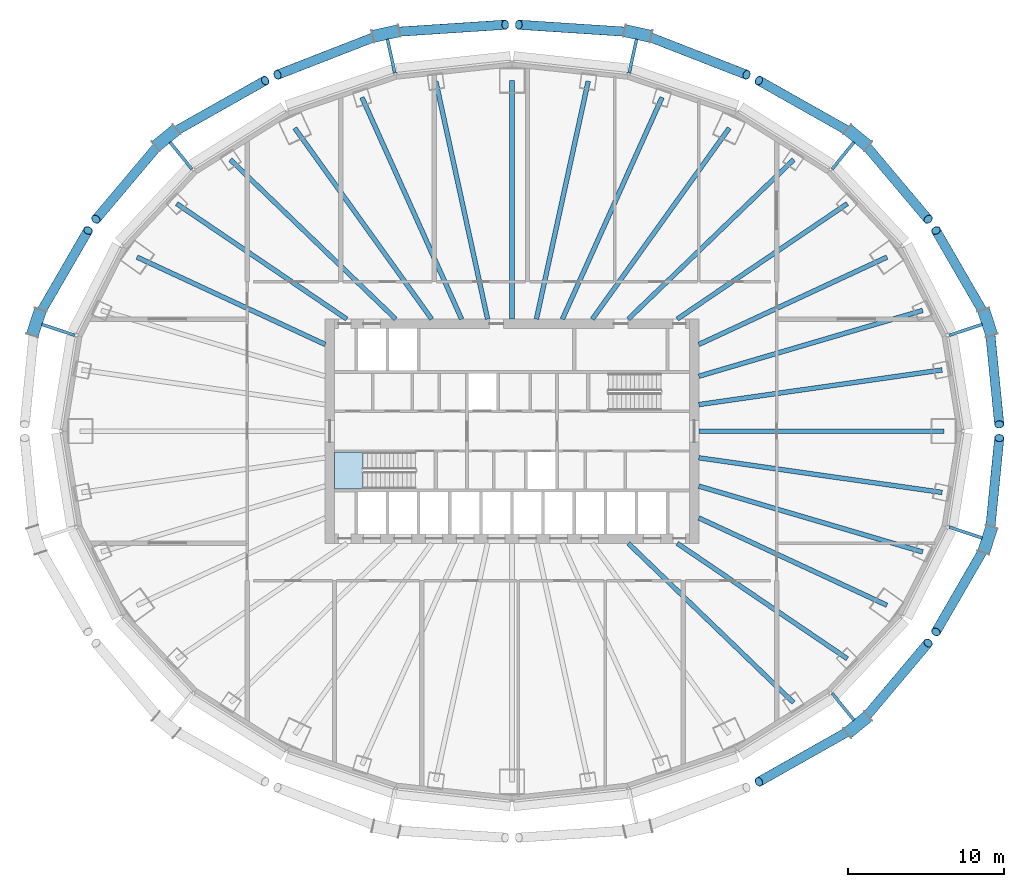
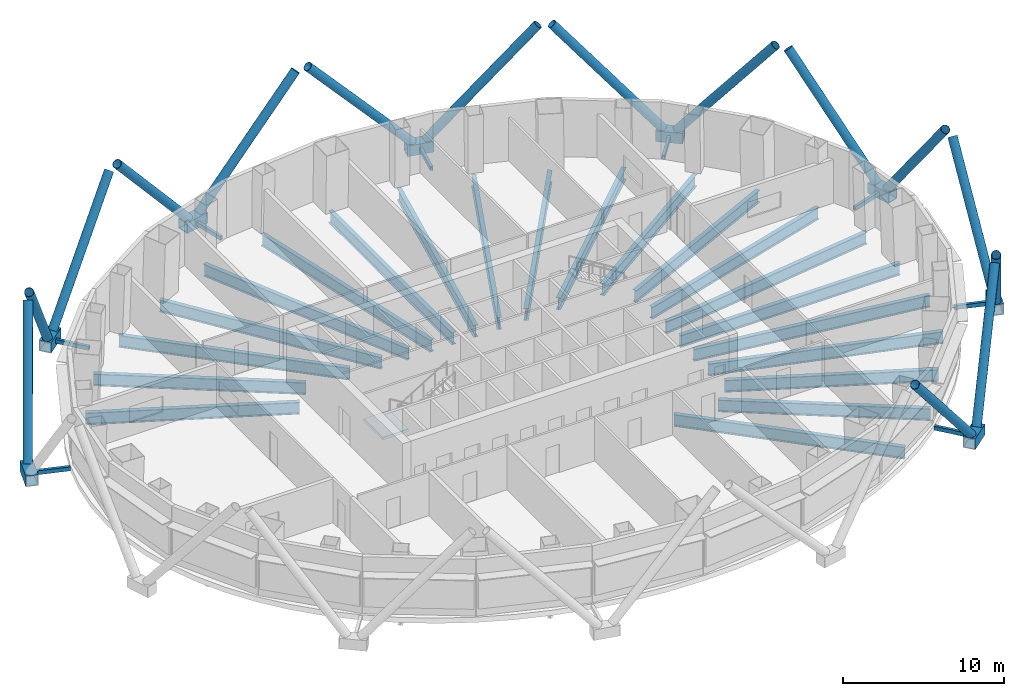
# One storey, part 2 of 14: 31 members, 21 beams, 1 slab, 1 element without a shape of its own.
"""IFC4 building model written with IfcOpenShell, lengths in metres."""

from ifc_helpers import new_model, si_unit, direction, frame, origin, origin_2d, place, context, subcontext, project, spatial, polyline, hollow_rectangle, hollow_circle, i_section, outline, extrude, material, layer, layer_set, material_profile, profile_set, type_object, element, aggregate, save


model = new_model("IFC4")

# Units and contexts
model_context = context("Model", 3, precision=1e-05, world=origin(), true_north=direction((0.0, 1.0)))
body_context = subcontext(model_context, "Body", "Model", "MODEL_VIEW")
ifc_project = project(units=[si_unit("LENGTHUNIT", "METRE"), si_unit("AREAUNIT", "SQUARE_METRE"), si_unit("VOLUMEUNIT", "CUBIC_METRE"), si_unit("PLANEANGLEUNIT", "RADIAN"), si_unit("MASSUNIT", "GRAM", prefix="KILO")], contexts=[model_context])

# Site, building, storey
site_placement = place(None, origin())
site = spatial("IfcSite", under=ifc_project, at=site_placement, CompositionType="ELEMENT")
building_placement = place(site_placement, origin())
building = spatial("IfcBuilding", under=site, at=building_placement, Name="Siaravel Broadcast Tower", CompositionType="ELEMENT")
storey_placement = place(building_placement, frame((0.0, 0.0, 20.0)))
storey = spatial("IfcBuildingStorey", under=building, at=storey_placement, Name="L03", CompositionType="ELEMENT", Elevation=20.0)

# Beams
ifc_material_1 = material(Name="Steel S355", Category="steel")
ifc_material_profile_1 = material_profile(ifc_material_1, i_section(OverallWidth=0.30322265625, OverallDepth=0.903076171875, WebThickness=0.01513671875, FlangeThickness=0.020263671875, FilletRadius=0.01904296875, at=origin_2d()))
ifc_profile_set_1 = profile_set([ifc_material_profile_1], Name="Steel S355")
beam_type = type_object("IfcBeamType", Name="BM-UB 914x305x201", PredefinedType="BEAM", material=ifc_profile_set_1)
beam_1_placement = place(storey_placement, frame((27.75, 0.0, -0.8515625), z_axis=(-1.0, 0.0, 0.0), x_axis=(0.0, -1.0, 0.0)))
element("IfcBeam", 1, at=beam_1_placement, inside=storey, type_object=beam_type, Name="Radial beam RB01", PredefinedType="BEAM", context=body_context, shape_type="SweptSolid", body=[
    extrude(i_section(OverallWidth=0.30322265625, OverallDepth=0.903076171875, WebThickness=0.01513671875, FlangeThickness=0.020263671875, FilletRadius=0.01904296875, at=origin_2d()), origin(), (0.0, 0.0, 1.0), 15.75),
])
beam_2_placement = place(storey_placement, frame((27.629638671875, 3.935302734375, -0.8515625), z_axis=(-0.990006939, -0.141018655, 0.0), x_axis=(0.141018655, -0.990006939, 0.0)))
element("IfcBeam", 2, at=beam_2_placement, inside=storey, type_object=beam_type, Name="Radial beam RB02", PredefinedType="BEAM", context=body_context, shape_type="SweptSolid", body=[
    extrude(i_section(OverallWidth=0.30322265625, OverallDepth=0.903076171875, WebThickness=0.01513671875, FlangeThickness=0.020263671875, FilletRadius=0.01904296875, at=origin_2d()), origin(), (0.0, 0.0, 1.0), 15.787353515625),
])
beam_3_placement = place(storey_placement, frame((26.379150390625, 7.757568359375, -0.8515625), z_axis=(-0.959377173, -0.282126639, 0.0), x_axis=(0.282126639, -0.959377173, 0.0)))
element("IfcBeam", 3, at=beam_3_placement, inside=storey, type_object=beam_type, Name="Radial beam RB03", PredefinedType="BEAM", context=body_context, shape_type="SweptSolid", body=[
    extrude(i_section(OverallWidth=0.30322265625, OverallDepth=0.903076171875, WebThickness=0.01513671875, FlangeThickness=0.020263671875, FilletRadius=0.01904296875, at=origin_2d()), origin(), (0.0, 0.0, 1.0), 14.988037109375),
])
beam_4_placement = place(storey_placement, frame((24.085693359375, 11.181884765625, -0.8515625), z_axis=(-0.907019715, -0.421088158, 0.0), x_axis=(0.421088158, -0.907019715, 0.0)))
element("IfcBeam", 4, at=beam_4_placement, inside=storey, type_object=beam_type, Name="Radial beam RB04", PredefinedType="BEAM", context=body_context, shape_type="SweptSolid", body=[
    extrude(i_section(OverallWidth=0.30322265625, OverallDepth=0.903076171875, WebThickness=0.01513671875, FlangeThickness=0.020263671875, FilletRadius=0.01904296875, at=origin_2d()), origin(), (0.0, 0.0, 1.0), 13.32470703125),
])
beam_5_placement = place(storey_placement, frame((21.54150390625, 14.617431640625, -0.8515625), z_axis=(-0.827473014, -0.561505486, 0.0), x_axis=(0.561505486, -0.827473014, 0.0)))
element("IfcBeam", 5, at=beam_5_placement, inside=storey, type_object=beam_type, Name="Radial beam RB05", PredefinedType="BEAM", context=body_context, shape_type="SweptSolid", body=[
    extrude(i_section(OverallWidth=0.30322265625, OverallDepth=0.903076171875, WebThickness=0.01513671875, FlangeThickness=0.020263671875, FilletRadius=0.01904296875, at=origin_2d()), origin(), (0.0, 0.0, 1.0), 13.2099609375),
])
beam_6_placement = place(storey_placement, frame((18.09130859375, 17.443359375, -0.8515625), z_axis=(-0.719884443, -0.694093933, 0.0), x_axis=(0.694093933, -0.719884443, 0.0)))
element("IfcBeam", 6, at=beam_6_placement, inside=storey, type_object=beam_type, Name="Radial beam RB06", PredefinedType="BEAM", context=body_context, shape_type="SweptSolid", body=[
    extrude(i_section(OverallWidth=0.30322265625, OverallDepth=0.903076171875, WebThickness=0.01513671875, FlangeThickness=0.020263671875, FilletRadius=0.01904296875, at=origin_2d()), origin(), (0.0, 0.0, 1.0), 14.758056640625),
])
beam_7_placement = place(storey_placement, frame((13.954833984375, 19.470947265625, -0.8515625), z_axis=(-0.582539241, -0.812802579, 0.0), x_axis=(0.812802579, -0.582539241, 0.0)))
element("IfcBeam", 7, at=beam_7_placement, inside=storey, type_object=beam_type, Name="Radial beam RB07", PredefinedType="BEAM", context=body_context, shape_type="SweptSolid", body=[
    extrude(i_section(OverallWidth=0.30322265625, OverallDepth=0.903076171875, WebThickness=0.01513671875, FlangeThickness=0.020263671875, FilletRadius=0.01904296875, at=origin_2d()), origin(), (0.0, 0.0, 1.0), 15.09716796875),
])
beam_8_placement = place(storey_placement, frame((9.638671875, 21.439697265625, -0.8515625), z_axis=(-0.410043452, -0.912065989, 0.0), x_axis=(0.912065989, -0.410043452, 0.0)))
element("IfcBeam", 8, at=beam_8_placement, inside=storey, type_object=beam_type, Name="Radial beam RB08", PredefinedType="BEAM", context=body_context, shape_type="SweptSolid", body=[
    extrude(i_section(OverallWidth=0.30322265625, OverallDepth=0.903076171875, WebThickness=0.01513671875, FlangeThickness=0.020263671875, FilletRadius=0.01904296875, at=origin_2d()), origin(), (0.0, 0.0, 1.0), 15.612548828125),
])
beam_9_placement = place(storey_placement, frame((4.8955078125, 22.480712890625, -0.8515625), z_axis=(-0.212779613, -0.977100218, 0.0), x_axis=(0.977100218, -0.212779613, 0.0)))
element("IfcBeam", 9, at=beam_9_placement, inside=storey, type_object=beam_type, Name="Radial beam RB09", PredefinedType="BEAM", context=body_context, shape_type="SweptSolid", body=[
    extrude(i_section(OverallWidth=0.30322265625, OverallDepth=0.903076171875, WebThickness=0.01513671875, FlangeThickness=0.020263671875, FilletRadius=0.01904296875, at=origin_2d()), origin(), (0.0, 0.0, 1.0), 15.638916015625),
])
beam_10_placement = place(storey_placement, frame((0.0, 22.531494140625, -0.8515625), z_axis=(0.0, -1.0, 0.0), x_axis=(1.0, 0.0, 0.0)))
element("IfcBeam", 10, at=beam_10_placement, inside=storey, type_object=beam_type, Name="Radial beam RB10", PredefinedType="BEAM", context=body_context, shape_type="SweptSolid", body=[
    extrude(i_section(OverallWidth=0.30322265625, OverallDepth=0.903076171875, WebThickness=0.01513671875, FlangeThickness=0.020263671875, FilletRadius=0.01904296875, at=origin_2d()), origin(), (0.0, 0.0, 1.0), 15.33154296875),
])
beam_11_placement = place(storey_placement, frame((-4.8955078125, 22.480712890625, -0.8515625), z_axis=(0.212779613, -0.977100218, 0.0), x_axis=(0.977100218, 0.212779613, 0.0)))
element("IfcBeam", 11, at=beam_11_placement, inside=storey, type_object=beam_type, Name="Radial beam RB11", PredefinedType="BEAM", context=body_context, shape_type="SweptSolid", body=[
    extrude(i_section(OverallWidth=0.30322265625, OverallDepth=0.903076171875, WebThickness=0.01513671875, FlangeThickness=0.020263671875, FilletRadius=0.01904296875, at=origin_2d()), origin(), (0.0, 0.0, 1.0), 15.638916015625),
])
beam_12_placement = place(storey_placement, frame((-9.638671875, 21.439697265625, -0.8515625), z_axis=(0.410043452, -0.912065989, 0.0), x_axis=(0.912065989, 0.410043452, 0.0)))
element("IfcBeam", 12, at=beam_12_placement, inside=storey, type_object=beam_type, Name="Radial beam RB12", PredefinedType="BEAM", context=body_context, shape_type="SweptSolid", body=[
    extrude(i_section(OverallWidth=0.30322265625, OverallDepth=0.903076171875, WebThickness=0.01513671875, FlangeThickness=0.020263671875, FilletRadius=0.01904296875, at=origin_2d()), origin(), (0.0, 0.0, 1.0), 15.612548828125),
])
beam_13_placement = place(storey_placement, frame((-13.954833984375, 19.470947265625, -0.8515625), z_axis=(0.582539241, -0.812802579, 0.0), x_axis=(0.812802579, 0.582539241, 0.0)))
element("IfcBeam", 13, at=beam_13_placement, inside=storey, type_object=beam_type, Name="Radial beam RB13", PredefinedType="BEAM", context=body_context, shape_type="SweptSolid", body=[
    extrude(i_section(OverallWidth=0.30322265625, OverallDepth=0.903076171875, WebThickness=0.01513671875, FlangeThickness=0.020263671875, FilletRadius=0.01904296875, at=origin_2d()), origin(), (0.0, 0.0, 1.0), 15.09716796875),
])
beam_14_placement = place(storey_placement, frame((-18.09130859375, 17.443359375, -0.8515625), z_axis=(0.719884443, -0.694093933, 0.0), x_axis=(0.694093933, 0.719884443, 0.0)))
element("IfcBeam", 14, at=beam_14_placement, inside=storey, type_object=beam_type, Name="Radial beam RB14", PredefinedType="BEAM", context=body_context, shape_type="SweptSolid", body=[
    extrude(i_section(OverallWidth=0.30322265625, OverallDepth=0.903076171875, WebThickness=0.01513671875, FlangeThickness=0.020263671875, FilletRadius=0.01904296875, at=origin_2d()), origin(), (0.0, 0.0, 1.0), 14.758056640625),
])
beam_15_placement = place(storey_placement, frame((-21.54150390625, 14.617431640625, -0.8515625), z_axis=(0.827473014, -0.561505486, 0.0), x_axis=(0.561505486, 0.827473014, 0.0)))
element("IfcBeam", 15, at=beam_15_placement, inside=storey, type_object=beam_type, Name="Radial beam RB15", PredefinedType="BEAM", context=body_context, shape_type="SweptSolid", body=[
    extrude(i_section(OverallWidth=0.30322265625, OverallDepth=0.903076171875, WebThickness=0.01513671875, FlangeThickness=0.020263671875, FilletRadius=0.01904296875, at=origin_2d()), origin(), (0.0, 0.0, 1.0), 13.2099609375),
])
beam_16_placement = place(storey_placement, frame((-24.085693359375, 11.181884765625, -0.8515625), z_axis=(0.907019715, -0.421088158, 0.0), x_axis=(0.421088158, 0.907019715, 0.0)))
element("IfcBeam", 16, at=beam_16_placement, inside=storey, type_object=beam_type, Name="Radial beam RB16", PredefinedType="BEAM", context=body_context, shape_type="SweptSolid", body=[
    extrude(i_section(OverallWidth=0.30322265625, OverallDepth=0.903076171875, WebThickness=0.01513671875, FlangeThickness=0.020263671875, FilletRadius=0.01904296875, at=origin_2d()), origin(), (0.0, 0.0, 1.0), 13.32470703125),
])
beam_17_placement = place(storey_placement, frame((18.09130859375, -17.443359375, -0.8515625), z_axis=(-0.719884443, 0.694093933, 0.0), x_axis=(-0.694093933, -0.719884443, 0.0)))
element("IfcBeam", 17, at=beam_17_placement, inside=storey, type_object=beam_type, Name="Radial beam RB32", PredefinedType="BEAM", context=body_context, shape_type="SweptSolid", body=[
    extrude(i_section(OverallWidth=0.30322265625, OverallDepth=0.903076171875, WebThickness=0.01513671875, FlangeThickness=0.020263671875, FilletRadius=0.01904296875, at=origin_2d()), origin(), (0.0, 0.0, 1.0), 14.758056640625),
])
beam_18_placement = place(storey_placement, frame((21.54150390625, -14.617431640625, -0.8515625), z_axis=(-0.827473014, 0.561505486, 0.0), x_axis=(-0.561505486, -0.827473014, 0.0)))
element("IfcBeam", 18, at=beam_18_placement, inside=storey, type_object=beam_type, Name="Radial beam RB33", PredefinedType="BEAM", context=body_context, shape_type="SweptSolid", body=[
    extrude(i_section(OverallWidth=0.30322265625, OverallDepth=0.903076171875, WebThickness=0.01513671875, FlangeThickness=0.020263671875, FilletRadius=0.01904296875, at=origin_2d()), origin(), (0.0, 0.0, 1.0), 13.2099609375),
])
beam_19_placement = place(storey_placement, frame((24.085693359375, -11.181884765625, -0.8515625), z_axis=(-0.907019715, 0.421088158, 0.0), x_axis=(-0.421088158, -0.907019715, 0.0)))
element("IfcBeam", 19, at=beam_19_placement, inside=storey, type_object=beam_type, Name="Radial beam RB34", PredefinedType="BEAM", context=body_context, shape_type="SweptSolid", body=[
    extrude(i_section(OverallWidth=0.30322265625, OverallDepth=0.903076171875, WebThickness=0.01513671875, FlangeThickness=0.020263671875, FilletRadius=0.01904296875, at=origin_2d()), origin(), (0.0, 0.0, 1.0), 13.32470703125),
])
beam_20_placement = place(storey_placement, frame((26.379150390625, -7.757568359375, -0.8515625), z_axis=(-0.959377173, 0.282126639, 0.0), x_axis=(-0.282126639, -0.959377173, 0.0)))
element("IfcBeam", 20, at=beam_20_placement, inside=storey, type_object=beam_type, Name="Radial beam RB35", PredefinedType="BEAM", context=body_context, shape_type="SweptSolid", body=[
    extrude(i_section(OverallWidth=0.30322265625, OverallDepth=0.903076171875, WebThickness=0.01513671875, FlangeThickness=0.020263671875, FilletRadius=0.01904296875, at=origin_2d()), origin(), (0.0, 0.0, 1.0), 14.988037109375),
])
beam_21_placement = place(storey_placement, frame((27.629638671875, -3.935302734375, -0.8515625), z_axis=(-0.990006939, 0.141018655, 0.0), x_axis=(-0.141018655, -0.990006939, 0.0)))
element("IfcBeam", 21, at=beam_21_placement, inside=storey, type_object=beam_type, Name="Radial beam RB36", PredefinedType="BEAM", context=body_context, shape_type="SweptSolid", body=[
    extrude(i_section(OverallWidth=0.30322265625, OverallDepth=0.903076171875, WebThickness=0.01513671875, FlangeThickness=0.020263671875, FilletRadius=0.01904296875, at=origin_2d()), origin(), (0.0, 0.0, 1.0), 15.787353515625),
])

# Members
ifc_material_2 = material(Name="Steel S460", Category="steel")
ifc_material_profile_2 = material_profile(ifc_material_2, hollow_circle(Radius=0.304931640625, WallThickness=0.02490234375, at=origin_2d()))
ifc_profile_set_2 = profile_set([ifc_material_profile_2], Name="Steel S460")
member_type_1 = type_object("IfcMemberType", Name="Diagrid diagonal CHS 610x25", PredefinedType="BRACE", material=ifc_profile_set_2)
member_1_placement = place(storey_placement, frame((30.69091796875, 6.558349609375, 0.169921875), z_axis=(0.060496308, -0.608578782, 0.791183963), x_axis=(0.995095554, 0.098918347, 0.0)))
element("IfcMember", 22, at=member_1_placement, inside=storey, type_object=member_type_1, Name="Diagrid diagonal R02 station 03C", PredefinedType="BRACE", context=body_context, shape_type="SweptSolid", body=[
    extrude(hollow_circle(Radius=0.304931640625, WallThickness=0.02490234375, at=origin_2d()), origin(), (0.0, 0.0, 1.0), 10.060791015625),
])
member_2_placement = place(storey_placement, frame((30.419921875, 7.38623046875, 0.169921875), z_axis=(-0.312915472, 0.540560041, 0.780947341), x_axis=(-0.86545429, -0.500987896, 0.0)))
element("IfcMember", 23, at=member_2_placement, inside=storey, type_object=member_type_1, Name="Diagrid diagonal R02 station 03A", PredefinedType="BRACE", context=body_context, shape_type="SweptSolid", body=[
    extrude(hollow_circle(Radius=0.304931640625, WallThickness=0.02490234375, at=origin_2d()), origin(), (0.0, 0.0, 1.0), 10.192626953125),
])
member_3_placement = place(storey_placement, frame((22.543701171875, 18.57568359375, 0.169921875), z_axis=(0.407345793, -0.483530055, 0.774769702), x_axis=(0.764784478, 0.644286196, 0.0)))
element("IfcMember", 24, at=member_3_placement, inside=storey, type_object=member_type_1, Name="Diagrid diagonal R02 station 09C", PredefinedType="BRACE", context=body_context, shape_type="SweptSolid", body=[
    extrude(hollow_circle(Radius=0.304931640625, WallThickness=0.02490234375, at=origin_2d()), origin(), (0.0, 0.0, 1.0), 10.27392578125),
])
member_4_placement = place(storey_placement, frame((21.869873046875, 19.127685546875, 0.169921875), z_axis=(-0.570738509, 0.322145135, 0.755301308), x_axis=(-0.491541189, -0.870854327, 0.0)))
element("IfcMember", 25, at=member_4_placement, inside=storey, type_object=member_type_1, Name="Diagrid diagonal R02 station 09A", PredefinedType="BRACE", context=body_context, shape_type="SweptSolid", body=[
    extrude(hollow_circle(Radius=0.304931640625, WallThickness=0.02490234375, at=origin_2d()), origin(), (0.0, 0.0, 1.0), 10.538818359375),
])
member_5_placement = place(storey_placement, frame((8.5078125, 25.450439453125, 0.169921875), z_axis=(0.617311075, -0.240454714, 0.749071804), x_axis=(0.362956638, 0.931806031, 0.0)))
element("IfcMember", 26, at=member_5_placement, inside=storey, type_object=member_type_1, Name="Diagrid diagonal R02 station 15C", PredefinedType="BRACE", context=body_context, shape_type="SweptSolid", body=[
    extrude(hollow_circle(Radius=0.304931640625, WallThickness=0.02490234375, at=origin_2d()), origin(), (0.0, 0.0, 1.0), 10.62646484375),
])
for number, where, z_axis, x_axis, name in (
    (27, (7.656982421875, 25.63720703125, 0.169921875), (-0.671269626, 0.043776974, 0.739919364), (-0.065076946, -0.997880249, 0.0), "Diagrid diagonal R02 station 15A"),
    (28, (-7.656982421875, 25.63720703125, 0.169921875), (0.671269626, 0.043776974, 0.739919364), (-0.065076946, 0.997880249, 0.0), "Diagrid diagonal R02 station 21C"),
):
    element("IfcMember", number, at=place(storey_placement, frame(where, z_axis=z_axis, x_axis=x_axis)), inside=storey, type_object=member_type_1, Name=name, PredefinedType="BRACE", context=body_context, shape_type="SweptSolid", body=[
        extrude(hollow_circle(Radius=0.304931640625, WallThickness=0.02490234375, at=origin_2d()), origin(), (0.0, 0.0, 1.0), 10.7578125),
    ])
member_6_placement = place(storey_placement, frame((-8.5078125, 25.450439453125, 0.169921875), z_axis=(-0.617311075, -0.240454714, 0.749071804), x_axis=(0.362956638, -0.931806031, 0.0)))
element("IfcMember", 29, at=member_6_placement, inside=storey, type_object=member_type_1, Name="Diagrid diagonal R02 station 21A", PredefinedType="BRACE", context=body_context, shape_type="SweptSolid", body=[
    extrude(hollow_circle(Radius=0.304931640625, WallThickness=0.02490234375, at=origin_2d()), origin(), (0.0, 0.0, 1.0), 10.62646484375),
])
member_7_placement = place(storey_placement, frame((-21.869873046875, 19.127685546875, 0.169921875), z_axis=(0.570738509, 0.322145135, 0.755301308), x_axis=(-0.491541189, 0.870854327, 0.0)))
element("IfcMember", 30, at=member_7_placement, inside=storey, type_object=member_type_1, Name="Diagrid diagonal R02 station 27C", PredefinedType="BRACE", context=body_context, shape_type="SweptSolid", body=[
    extrude(hollow_circle(Radius=0.304931640625, WallThickness=0.02490234375, at=origin_2d()), origin(), (0.0, 0.0, 1.0), 10.538818359375),
])
member_8_placement = place(storey_placement, frame((-22.543701171875, 18.57568359375, 0.169921875), z_axis=(-0.407345793, -0.483530055, 0.774769702), x_axis=(0.764784478, -0.644286196, 0.0)))
element("IfcMember", 31, at=member_8_placement, inside=storey, type_object=member_type_1, Name="Diagrid diagonal R02 station 27A", PredefinedType="BRACE", context=body_context, shape_type="SweptSolid", body=[
    extrude(hollow_circle(Radius=0.304931640625, WallThickness=0.02490234375, at=origin_2d()), origin(), (0.0, 0.0, 1.0), 10.27392578125),
])
member_9_placement = place(storey_placement, frame((-30.419921875, 7.38623046875, 0.169921875), z_axis=(0.312915472, 0.540560041, 0.780947341), x_axis=(-0.86545429, 0.500987896, 0.0)))
element("IfcMember", 32, at=member_9_placement, inside=storey, type_object=member_type_1, Name="Diagrid diagonal R02 station 33C", PredefinedType="BRACE", context=body_context, shape_type="SweptSolid", body=[
    extrude(hollow_circle(Radius=0.304931640625, WallThickness=0.02490234375, at=origin_2d()), origin(), (0.0, 0.0, 1.0), 10.192626953125),
])
member_10_placement = place(storey_placement, frame((21.869873046875, -19.127685546875, 0.169921875), z_axis=(-0.570738509, -0.322145135, 0.755301308), x_axis=(0.491541189, -0.870854327, 0.0)))
element("IfcMember", 33, at=member_10_placement, inside=storey, type_object=member_type_1, Name="Diagrid diagonal R02 station 63C", PredefinedType="BRACE", context=body_context, shape_type="SweptSolid", body=[
    extrude(hollow_circle(Radius=0.304931640625, WallThickness=0.02490234375, at=origin_2d()), origin(), (0.0, 0.0, 1.0), 10.538818359375),
])
member_11_placement = place(storey_placement, frame((22.543701171875, -18.57568359375, 0.169921875), z_axis=(0.407345793, 0.483530055, 0.774769702), x_axis=(-0.764784478, 0.644286196, 0.0)))
element("IfcMember", 34, at=member_11_placement, inside=storey, type_object=member_type_1, Name="Diagrid diagonal R02 station 63A", PredefinedType="BRACE", context=body_context, shape_type="SweptSolid", body=[
    extrude(hollow_circle(Radius=0.304931640625, WallThickness=0.02490234375, at=origin_2d()), origin(), (0.0, 0.0, 1.0), 10.27392578125),
])
member_12_placement = place(storey_placement, frame((30.419921875, -7.38623046875, 0.169921875), z_axis=(-0.312915472, -0.540560041, 0.780947341), x_axis=(0.86545429, -0.500987896, 0.0)))
element("IfcMember", 35, at=member_12_placement, inside=storey, type_object=member_type_1, Name="Diagrid diagonal R02 station 69C", PredefinedType="BRACE", context=body_context, shape_type="SweptSolid", body=[
    extrude(hollow_circle(Radius=0.304931640625, WallThickness=0.02490234375, at=origin_2d()), origin(), (0.0, 0.0, 1.0), 10.192626953125),
])
member_13_placement = place(storey_placement, frame((30.69091796875, -6.558349609375, 0.169921875), z_axis=(0.060496308, 0.608578782, 0.791183963), x_axis=(-0.995095554, 0.098918347, 0.0)))
element("IfcMember", 36, at=member_13_placement, inside=storey, type_object=member_type_1, Name="Diagrid diagonal R02 station 69A", PredefinedType="BRACE", context=body_context, shape_type="SweptSolid", body=[
    extrude(hollow_circle(Radius=0.304931640625, WallThickness=0.02490234375, at=origin_2d()), origin(), (0.0, 0.0, 1.0), 10.060791015625),
])
ifc_material_profile_3 = material_profile(ifc_material_2, hollow_rectangle(XDim=0.800048828125, YDim=0.800048828125, WallThickness=0.050048828125, at=origin_2d()))
ifc_profile_set_3 = profile_set([ifc_material_profile_3], Name="Steel S460")
member_type_2 = type_object("IfcMemberType", Name="Diagrid node BOX 800x800x50", PredefinedType="USERDEFINED", material=ifc_profile_set_3)
member_14_placement = place(storey_placement, frame((30.822998046875, 6.154296875, -0.199951171875), z_axis=(-0.310903955, 0.950441335, 0.0), x_axis=(-0.950441335, -0.310903955, 0.0)))
element("IfcMember", 37, at=member_14_placement, inside=storey, type_object=member_type_2, Name="Diagrid node R02 station 03", ObjectType="DIAGRID NODE", PredefinedType="USERDEFINED", context=body_context, shape_type="SweptSolid", body=[
    extrude(hollow_rectangle(XDim=0.800048828125, YDim=0.800048828125, WallThickness=0.050048828125, at=origin_2d()), origin(), (0.0, 0.0, 1.0), 1.72119140625),
])
member_15_placement = place(storey_placement, frame((22.872314453125, 18.306396484375, -0.199951171875), z_axis=(-0.773577923, 0.633701189, 0.0), x_axis=(-0.633701189, -0.773577923, 0.0)))
element("IfcMember", 38, at=member_15_placement, inside=storey, type_object=member_type_2, Name="Diagrid node R02 station 09", ObjectType="DIAGRID NODE", PredefinedType="USERDEFINED", context=body_context, shape_type="SweptSolid", body=[
    extrude(hollow_rectangle(XDim=0.800048828125, YDim=0.800048828125, WallThickness=0.050048828125, at=origin_2d()), origin(), (0.0, 0.0, 1.0), 1.720947265625),
])
for number, where, z_axis, x_axis, name in (
    (39, (8.923095703125, 25.359375, -0.199951171875), (-0.976761004, 0.214331379, 0.0), (-0.214331379, -0.976761004, 0.0), "Diagrid node R02 station 15"),
    (40, (-7.241943359375, 25.728271484375, -0.199951171875), (-0.976761004, -0.214331379, 0.0), (0.214331379, -0.976761004, 0.0), "Diagrid node R02 station 21"),
):
    element("IfcMember", number, at=place(storey_placement, frame(where, z_axis=z_axis, x_axis=x_axis)), inside=storey, type_object=member_type_2, Name=name, ObjectType="DIAGRID NODE", PredefinedType="USERDEFINED", context=body_context, shape_type="SweptSolid", body=[
        extrude(hollow_rectangle(XDim=0.800048828125, YDim=0.800048828125, WallThickness=0.050048828125, at=origin_2d()), origin(), (0.0, 0.0, 1.0), 1.72119140625),
    ])
member_16_placement = place(storey_placement, frame((-21.541015625, 19.39697265625, -0.199951171875), z_axis=(-0.773577923, -0.633701189, 0.0), x_axis=(0.633701189, -0.773577923, 0.0)))
element("IfcMember", 41, at=member_16_placement, inside=storey, type_object=member_type_2, Name="Diagrid node R02 station 27", ObjectType="DIAGRID NODE", PredefinedType="USERDEFINED", context=body_context, shape_type="SweptSolid", body=[
    extrude(hollow_rectangle(XDim=0.800048828125, YDim=0.800048828125, WallThickness=0.050048828125, at=origin_2d()), origin(), (0.0, 0.0, 1.0), 1.720947265625),
])
member_17_placement = place(storey_placement, frame((-30.287841796875, 7.790283203125, -0.199951171875), z_axis=(-0.310903955, -0.950441335, 0.0), x_axis=(0.950441335, -0.310903955, 0.0)))
element("IfcMember", 42, at=member_17_placement, inside=storey, type_object=member_type_2, Name="Diagrid node R02 station 33", ObjectType="DIAGRID NODE", PredefinedType="USERDEFINED", context=body_context, shape_type="SweptSolid", body=[
    extrude(hollow_rectangle(XDim=0.800048828125, YDim=0.800048828125, WallThickness=0.050048828125, at=origin_2d()), origin(), (0.0, 0.0, 1.0), 1.72119140625),
])
member_18_placement = place(storey_placement, frame((21.541015625, -19.39697265625, -0.199951171875), z_axis=(0.773577923, 0.633701189, 0.0), x_axis=(-0.633701189, 0.773577923, 0.0)))
element("IfcMember", 43, at=member_18_placement, inside=storey, type_object=member_type_2, Name="Diagrid node R02 station 63", ObjectType="DIAGRID NODE", PredefinedType="USERDEFINED", context=body_context, shape_type="SweptSolid", body=[
    extrude(hollow_rectangle(XDim=0.800048828125, YDim=0.800048828125, WallThickness=0.050048828125, at=origin_2d()), origin(), (0.0, 0.0, 1.0), 1.720947265625),
])
member_19_placement = place(storey_placement, frame((30.287841796875, -7.790283203125, -0.199951171875), z_axis=(0.310903955, 0.950441335, 0.0), x_axis=(-0.950441335, 0.310903955, 0.0)))
element("IfcMember", 44, at=member_19_placement, inside=storey, type_object=member_type_2, Name="Diagrid node R02 station 69", ObjectType="DIAGRID NODE", PredefinedType="USERDEFINED", context=body_context, shape_type="SweptSolid", body=[
    extrude(hollow_rectangle(XDim=0.800048828125, YDim=0.800048828125, WallThickness=0.050048828125, at=origin_2d()), origin(), (0.0, 0.0, 1.0), 1.72119140625),
])
ifc_material_profile_4 = material_profile(ifc_material_2, hollow_rectangle(XDim=0.199951171875, YDim=0.300048828125, WallThickness=0.012451171875, at=origin_2d()))
ifc_profile_set_4 = profile_set([ifc_material_profile_4], Name="Steel S460")
member_type_3 = type_object("IfcMemberType", Name="Diagrid node arm RHS 300x200x12.5", PredefinedType="STRUT", material=ifc_profile_set_4)
member_20_placement = place(storey_placement, frame((28.084228515625, 6.1640625, -0.199951171875), z_axis=(0.950431253, 0.310934772, 0.0), x_axis=(-0.310934772, 0.950431253, 0.0)))
element("IfcMember", 45, at=member_20_placement, inside=storey, type_object=member_type_3, Name="Node arm R02 station 03", PredefinedType="STRUT", context=body_context, shape_type="SweptSolid", body=[
    extrude(hollow_rectangle(XDim=0.199951171875, YDim=0.300048828125, WallThickness=0.012451171875, at=origin_2d()), origin(), (0.0, 0.0, 1.0), 2.22998046875),
])
member_21_placement = place(storey_placement, frame((20.55908203125, 16.840087890625, -0.199951171875), z_axis=(0.633625199, 0.773640166, 0.0), x_axis=(-0.773640166, 0.633625199, 0.0)))
element("IfcMember", 46, at=member_21_placement, inside=storey, type_object=member_type_3, Name="Node arm R02 station 09", PredefinedType="STRUT", context=body_context, shape_type="SweptSolid", body=[
    extrude(hollow_rectangle(XDim=0.199951171875, YDim=0.300048828125, WallThickness=0.012451171875, at=origin_2d()), origin(), (0.0, 0.0, 1.0), 2.230224609375),
])
for number, where, z_axis, x_axis, name in (
    (47, (7.525146484375, 23.004150390625, -0.199951171875), (0.214356346, 0.976755526, 0.0), (-0.976755526, 0.214356346, 0.0), "Node arm R02 station 15"),
    (48, (-7.525146484375, 23.004150390625, -0.199951171875), (-0.214356346, 0.976755526, 0.0), (-0.976755526, -0.214356346, 0.0), "Node arm R02 station 21"),
):
    element("IfcMember", number, at=place(storey_placement, frame(where, z_axis=z_axis, x_axis=x_axis)), inside=storey, type_object=member_type_3, Name=name, PredefinedType="STRUT", context=body_context, shape_type="SweptSolid", body=[
        extrude(hollow_rectangle(XDim=0.199951171875, YDim=0.300048828125, WallThickness=0.012451171875, at=origin_2d()), origin(), (0.0, 0.0, 1.0), 2.22998046875),
    ])
member_22_placement = place(storey_placement, frame((-20.55908203125, 16.840087890625, -0.199951171875), z_axis=(-0.633625199, 0.773640166, 0.0), x_axis=(-0.773640166, -0.633625199, 0.0)))
element("IfcMember", 49, at=member_22_placement, inside=storey, type_object=member_type_3, Name="Node arm R02 station 27", PredefinedType="STRUT", context=body_context, shape_type="SweptSolid", body=[
    extrude(hollow_rectangle(XDim=0.199951171875, YDim=0.300048828125, WallThickness=0.012451171875, at=origin_2d()), origin(), (0.0, 0.0, 1.0), 2.230224609375),
])
member_23_placement = place(storey_placement, frame((-28.084228515625, 6.1640625, -0.199951171875), z_axis=(-0.950431253, 0.310934772, 0.0), x_axis=(-0.310934772, -0.950431253, 0.0)))
element("IfcMember", 50, at=member_23_placement, inside=storey, type_object=member_type_3, Name="Node arm R02 station 33", PredefinedType="STRUT", context=body_context, shape_type="SweptSolid", body=[
    extrude(hollow_rectangle(XDim=0.199951171875, YDim=0.300048828125, WallThickness=0.012451171875, at=origin_2d()), origin(), (0.0, 0.0, 1.0), 2.22998046875),
])
member_24_placement = place(storey_placement, frame((20.55908203125, -16.840087890625, -0.199951171875), z_axis=(0.633625199, -0.773640166, 0.0), x_axis=(0.773640166, 0.633625199, 0.0)))
element("IfcMember", 51, at=member_24_placement, inside=storey, type_object=member_type_3, Name="Node arm R02 station 63", PredefinedType="STRUT", context=body_context, shape_type="SweptSolid", body=[
    extrude(hollow_rectangle(XDim=0.199951171875, YDim=0.300048828125, WallThickness=0.012451171875, at=origin_2d()), origin(), (0.0, 0.0, 1.0), 2.230224609375),
])
member_25_placement = place(storey_placement, frame((28.084228515625, -6.1640625, -0.199951171875), z_axis=(0.950431253, -0.310934772, 0.0), x_axis=(0.310934772, 0.950431253, 0.0)))
element("IfcMember", 52, at=member_25_placement, inside=storey, type_object=member_type_3, Name="Node arm R02 station 69", PredefinedType="STRUT", context=body_context, shape_type="SweptSolid", body=[
    extrude(hollow_rectangle(XDim=0.199951171875, YDim=0.300048828125, WallThickness=0.012451171875, at=origin_2d()), origin(), (0.0, 0.0, 1.0), 2.22998046875),
])

# Stair, slab
ifc_material_3 = material(Name="Concrete C40/50", Category="concrete")
stair_type = type_object("IfcStairType", Name="Core exit stair", PredefinedType="HALF_TURN_STAIR", material=ifc_material_3)
stair_placement = place(storey_placement, origin())
stair = element("IfcStair", 53, at=stair_placement, inside=storey, type_object=stair_type, Name="L03 Exit stair ST-1", PredefinedType="HALF_TURN_STAIR")
ifc_layer = layer(ifc_material_3, 0.199951171875)
ifc_layer_set = layer_set([ifc_layer], Name="Concrete C40/50")
slab_type = type_object("IfcSlabType", Name="Stair landing", PredefinedType="LANDING", material=ifc_layer_set)
slab_placement = place(storey_placement, frame((0.0, 0.0, 2.050048828125)))
slab = element("IfcSlab", 54, at=slab_placement, type_object=slab_type, Name="ST-1 landing 1", PredefinedType="LANDING", context=body_context, shape_type="SweptSolid", body=[
    extrude(outline(polyline([(-9.56005859375, -1.35009765625), (-11.39990234375, -1.35009765625), (-11.39990234375, -3.699951171875), (-9.56005859375, -3.699951171875), (-9.56005859375, -1.35009765625)])), origin(), (0.0, 0.0, 1.0), 0.199951171875),
])
aggregate(stair, [slab])

save(model, "model.ifc")
